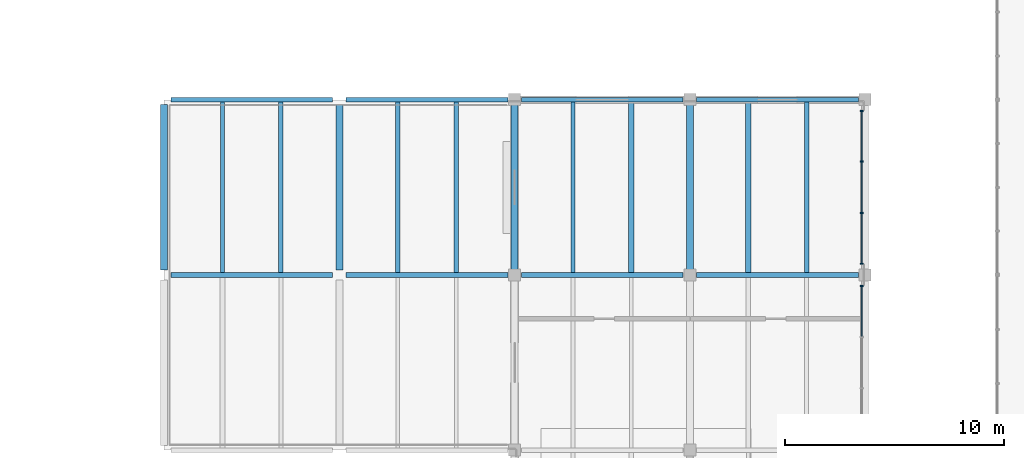
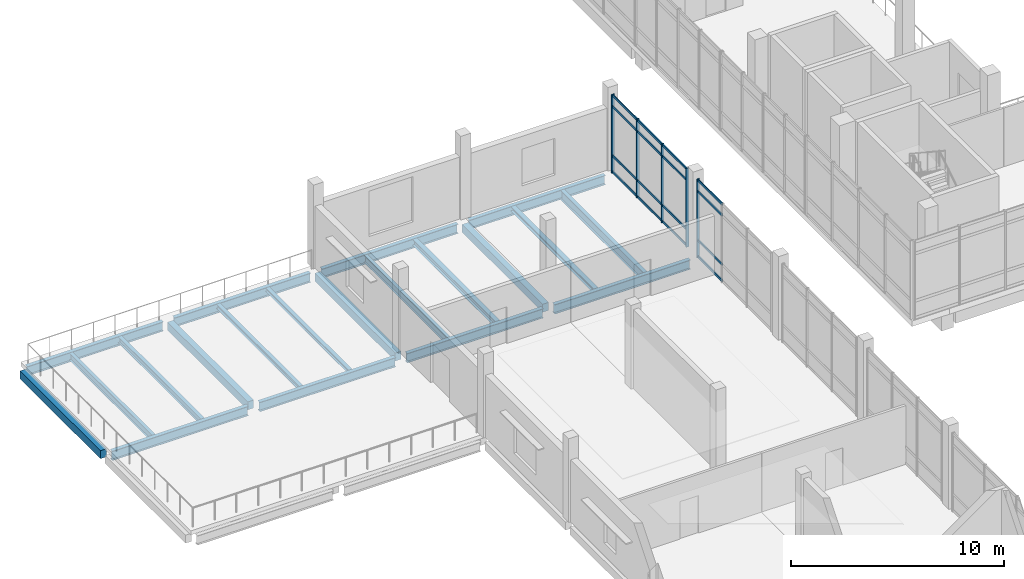
# One storey, part 12 of 47: 21 members, 20 beams, 2 elements without a shape of their own.
"""IFC4 building model written with IfcOpenShell, lengths in metres."""

from ifc_helpers import new_model, si_unit, direction, frame, origin, origin_2d, place, context, subcontext, project, spatial, rectangle, i_section, extrude, material, material_profile, profile_set, type_object, element, aggregate, save


model = new_model("IFC4")

# Units and contexts
model_context = context("Model", 3, precision=1e-05, world=origin(), true_north=direction((0.0, 1.0)))
body_context = subcontext(model_context, "Body", "Model", "MODEL_VIEW")
ifc_project = project(units=[si_unit("LENGTHUNIT", "METRE"), si_unit("AREAUNIT", "SQUARE_METRE"), si_unit("VOLUMEUNIT", "CUBIC_METRE"), si_unit("PLANEANGLEUNIT", "RADIAN"), si_unit("MASSUNIT", "GRAM", prefix="KILO")], contexts=[model_context])

# Site, building, storey
site_placement = place(None, origin())
site = spatial("IfcSite", under=ifc_project, at=site_placement, CompositionType="ELEMENT")
building_placement = place(site_placement, origin())
building = spatial("IfcBuilding", under=site, at=building_placement, Name="Pecanmere Concourse Central Library", CompositionType="ELEMENT")
storey_placement = place(building_placement, frame((0.0, 0.0, 15.300048828125)))
storey = spatial("IfcBuildingStorey", under=building, at=storey_placement, Name="L04", CompositionType="ELEMENT", Elevation=15.300048828125)

# Beams
ifc_material_1 = material(Name="Concrete C40/50", Category="concrete")
ifc_material_profile_1 = material_profile(ifc_material_1, rectangle(XDim=0.320068359375, YDim=0.4599609375, at=origin_2d()), Name="RC 320x460")
ifc_profile_set_1 = profile_set([ifc_material_profile_1], Name="Concrete C40/50")
beam_type_1 = type_object("IfcBeamType", Name="BM_320x460", PredefinedType="BEAM", material=ifc_profile_set_1)
for number, where, z_axis, x_axis, name in (
    (1, (32.0, 98.219970703125, -0.550048828125), (0.0, 1.0, 0.0), (-1.0, 0.0, 0.0), "Primary Girder Y L04-2239"),
    (2, (40.0, 98.219970703125, -0.550048828125), (0.0, 1.0, 0.0), (-1.0, 0.0, 0.0), "Primary Girder Y L04-2245"),
    (3, (48.0, 98.219970703125, -0.550048828125), (0.0, 1.0, 0.0), (-1.0, 0.0, 0.0), "Primary Girder Y L04-2256"),
    (4, (56.0, 98.219970703125, -0.550048828125), (0.0, 1.0, 0.0), (-1.0, 0.0, 0.0), "Primary Girder Y L04-2263"),
):
    element("IfcBeam", number, at=place(storey_placement, frame(where, z_axis=z_axis, x_axis=x_axis)), inside=storey, type_object=beam_type_1, Name=name, PredefinedType="BEAM", context=body_context, shape_type="SweptSolid", body=[
        extrude(rectangle(XDim=0.320068359375, YDim=0.4599609375, at=origin_2d()), origin(), (0.0, 0.0, 1.0), 7.56005859375),
    ])

# Curtain wall, member
ifc_material_2 = material(Name="Clear anodized aluminium alloy 6063-T6", Category="aluminium")
curtain_wall_type = type_object("IfcCurtainWallType", Name="CW_CLOISTER_GLAZ", PredefinedType="USERDEFINED", material=ifc_material_2)
curtain_wall_1_placement = place(storey_placement, origin())
curtain_wall_1 = element("IfcCurtainWall", 5, at=curtain_wall_1_placement, inside=storey, type_object=curtain_wall_type, Name="Unitised Curtain Wall CW-04 L04-150", ObjectType="UNITISED CURTAIN WALL", PredefinedType="USERDEFINED")
ifc_material_3 = material(Name="Clear anodized aluminium alloy 6063-T6", Category="aluminium")
ifc_material_profile_2 = material_profile(ifc_material_3, rectangle(XDim=0.06005859375, YDim=0.14990234375, at=origin_2d()), Name="AL 60x150")
ifc_profile_set_2 = profile_set([ifc_material_profile_2], Name="Clear anodized aluminium alloy 6063-T6")
member_type_1 = type_object("IfcMemberType", Name="CWM_150x60", PredefinedType="MULLION", material=ifc_profile_set_2)
member_1_placement = place(storey_placement, frame((63.85009765625, 97.489990234375, 0.0), z_axis=(0.0, 0.0, 1.0), x_axis=(0.0, 1.0, 0.0)))
member_1 = element("IfcMember", 6, at=member_1_placement, type_object=member_type_1, Name="CW-04 Mullion 4", PredefinedType="MULLION", context=body_context, shape_type="SweptSolid", body=[
    extrude(rectangle(XDim=0.06005859375, YDim=0.14990234375, at=origin_2d()), origin(), (0.0, 0.0, 1.0), 4.52001953125),
])

# Curtain wall, members
curtain_wall_2_placement = place(storey_placement, origin())
curtain_wall_2 = element("IfcCurtainWall", 7, at=curtain_wall_2_placement, inside=storey, type_object=curtain_wall_type, Name="Unitised Curtain Wall CW-04 L04-152", ObjectType="UNITISED CURTAIN WALL", PredefinedType="USERDEFINED")
member_2_placement = place(storey_placement, frame((63.85009765625, 98.510009765625, 0.0), z_axis=(0.0, 0.0, 1.0), x_axis=(0.0, 1.0, 0.0)))
member_2 = element("IfcMember", 8, at=member_2_placement, type_object=member_type_1, Name="CW-04 Mullion 1", PredefinedType="MULLION", context=body_context, shape_type="SweptSolid", body=[
    extrude(rectangle(XDim=0.06005859375, YDim=0.14990234375, at=origin_2d()), origin(), (0.0, 0.0, 1.0), 4.52001953125),
])
member_3_placement = place(storey_placement, frame((63.85009765625, 100.82666015625, 0.0), z_axis=(0.0, 0.0, 1.0), x_axis=(0.0, 1.0, 0.0)))
member_3 = element("IfcMember", 9, at=member_3_placement, type_object=member_type_1, Name="CW-04 Mullion 2", PredefinedType="MULLION", context=body_context, shape_type="SweptSolid", body=[
    extrude(rectangle(XDim=0.06005859375, YDim=0.14990234375, at=origin_2d()), origin(), (0.0, 0.0, 1.0), 4.52001953125),
])
member_4_placement = place(storey_placement, frame((63.85009765625, 103.17333984375, 0.0), z_axis=(0.0, 0.0, 1.0), x_axis=(0.0, 1.0, 0.0)))
member_4 = element("IfcMember", 10, at=member_4_placement, type_object=member_type_1, Name="CW-04 Mullion 3", PredefinedType="MULLION", context=body_context, shape_type="SweptSolid", body=[
    extrude(rectangle(XDim=0.06005859375, YDim=0.14990234375, at=origin_2d()), origin(), (0.0, 0.0, 1.0), 4.52001953125),
])
member_5_placement = place(storey_placement, frame((63.85009765625, 105.489990234375, 0.0), z_axis=(0.0, 0.0, 1.0), x_axis=(0.0, 1.0, 0.0)))
member_5 = element("IfcMember", 11, at=member_5_placement, type_object=member_type_1, Name="CW-04 Mullion 4", PredefinedType="MULLION", context=body_context, shape_type="SweptSolid", body=[
    extrude(rectangle(XDim=0.06005859375, YDim=0.14990234375, at=origin_2d()), origin(), (0.0, 0.0, 1.0), 4.52001953125),
])

# Member
ifc_material_4 = material(Name="Clear anodized aluminium alloy 6063-T6", Category="aluminium")
ifc_material_profile_3 = material_profile(ifc_material_4, rectangle(XDim=0.054931640625, YDim=0.139892578125, at=origin_2d()), Name="AL 55x140")
ifc_profile_set_3 = profile_set([ifc_material_profile_3], Name="Clear anodized aluminium alloy 6063-T6")
member_type_2 = type_object("IfcMemberType", Name="CWT_140x55", PredefinedType="USERDEFINED", material=ifc_profile_set_3)
member_6_placement = place(storey_placement, frame((63.85009765625, 95.203369140625, 0.070068359375), z_axis=(0.0, 1.0, 0.0), x_axis=(-1.0, 0.0, 0.0)))
member_6 = element("IfcMember", 12, at=member_6_placement, type_object=member_type_2, Name="CW-04 Transom 3.1", ObjectType="TRANSOM", PredefinedType="USERDEFINED", context=body_context, shape_type="SweptSolid", body=[
    extrude(rectangle(XDim=0.054931640625, YDim=0.139892578125, at=origin_2d()), origin(), (0.0, 0.0, 1.0), 2.256591796875),
])

member_7_placement = place(storey_placement, frame((63.85009765625, 95.203369140625, 1.0), z_axis=(0.0, 1.0, 0.0), x_axis=(-1.0, 0.0, 0.0)))
member_7 = element("IfcMember", 13, at=member_7_placement, type_object=member_type_2, Name="CW-04 Transom 3.2", ObjectType="TRANSOM", PredefinedType="USERDEFINED", context=body_context, shape_type="SweptSolid", body=[
    extrude(rectangle(XDim=0.054931640625, YDim=0.139892578125, at=origin_2d()), origin(), (0.0, 0.0, 1.0), 2.256591796875),
])

member_8_placement = place(storey_placement, frame((63.85009765625, 95.203369140625, 3.820068359375), z_axis=(0.0, 1.0, 0.0), x_axis=(-1.0, 0.0, 0.0)))
member_8 = element("IfcMember", 14, at=member_8_placement, type_object=member_type_2, Name="CW-04 Transom 3.3", ObjectType="TRANSOM", PredefinedType="USERDEFINED", context=body_context, shape_type="SweptSolid", body=[
    extrude(rectangle(XDim=0.054931640625, YDim=0.139892578125, at=origin_2d()), origin(), (0.0, 0.0, 1.0), 2.256591796875),
])

member_9_placement = place(storey_placement, frame((63.85009765625, 95.203369140625, 4.449951171875), z_axis=(0.0, 1.0, 0.0), x_axis=(-1.0, 0.0, 0.0)))
member_9 = element("IfcMember", 15, at=member_9_placement, type_object=member_type_2, Name="CW-04 Transom 3.4", ObjectType="TRANSOM", PredefinedType="USERDEFINED", context=body_context, shape_type="SweptSolid", body=[
    extrude(rectangle(XDim=0.054931640625, YDim=0.139892578125, at=origin_2d()), origin(), (0.0, 0.0, 1.0), 2.256591796875),
])

aggregate(curtain_wall_1, [member_1, member_6, member_7, member_8, member_9])

member_10_placement = place(storey_placement, frame((63.85009765625, 98.5400390625, 0.070068359375), z_axis=(0.0, 1.0, 0.0), x_axis=(-1.0, 0.0, 0.0)))
member_10 = element("IfcMember", 16, at=member_10_placement, type_object=member_type_2, Name="CW-04 Transom 1.1", ObjectType="TRANSOM", PredefinedType="USERDEFINED", context=body_context, shape_type="SweptSolid", body=[
    extrude(rectangle(XDim=0.054931640625, YDim=0.139892578125, at=origin_2d()), origin(), (0.0, 0.0, 1.0), 2.256591796875),
])

member_11_placement = place(storey_placement, frame((63.85009765625, 98.5400390625, 1.0), z_axis=(0.0, 1.0, 0.0), x_axis=(-1.0, 0.0, 0.0)))
member_11 = element("IfcMember", 17, at=member_11_placement, type_object=member_type_2, Name="CW-04 Transom 1.2", ObjectType="TRANSOM", PredefinedType="USERDEFINED", context=body_context, shape_type="SweptSolid", body=[
    extrude(rectangle(XDim=0.054931640625, YDim=0.139892578125, at=origin_2d()), origin(), (0.0, 0.0, 1.0), 2.256591796875),
])

member_12_placement = place(storey_placement, frame((63.85009765625, 98.5400390625, 3.820068359375), z_axis=(0.0, 1.0, 0.0), x_axis=(-1.0, 0.0, 0.0)))
member_12 = element("IfcMember", 18, at=member_12_placement, type_object=member_type_2, Name="CW-04 Transom 1.3", ObjectType="TRANSOM", PredefinedType="USERDEFINED", context=body_context, shape_type="SweptSolid", body=[
    extrude(rectangle(XDim=0.054931640625, YDim=0.139892578125, at=origin_2d()), origin(), (0.0, 0.0, 1.0), 2.256591796875),
])

member_13_placement = place(storey_placement, frame((63.85009765625, 98.5400390625, 4.449951171875), z_axis=(0.0, 1.0, 0.0), x_axis=(-1.0, 0.0, 0.0)))
member_13 = element("IfcMember", 19, at=member_13_placement, type_object=member_type_2, Name="CW-04 Transom 1.4", ObjectType="TRANSOM", PredefinedType="USERDEFINED", context=body_context, shape_type="SweptSolid", body=[
    extrude(rectangle(XDim=0.054931640625, YDim=0.139892578125, at=origin_2d()), origin(), (0.0, 0.0, 1.0), 2.256591796875),
])

member_14_placement = place(storey_placement, frame((63.85009765625, 100.856689453125, 0.070068359375), z_axis=(0.0, 1.0, 0.0), x_axis=(-1.0, 0.0, 0.0)))
member_14 = element("IfcMember", 20, at=member_14_placement, type_object=member_type_2, Name="CW-04 Transom 2.1", ObjectType="TRANSOM", PredefinedType="USERDEFINED", context=body_context, shape_type="SweptSolid", body=[
    extrude(rectangle(XDim=0.054931640625, YDim=0.139892578125, at=origin_2d()), origin(), (0.0, 0.0, 1.0), 2.28662109375),
])

member_15_placement = place(storey_placement, frame((63.85009765625, 100.856689453125, 1.0), z_axis=(0.0, 1.0, 0.0), x_axis=(-1.0, 0.0, 0.0)))
member_15 = element("IfcMember", 21, at=member_15_placement, type_object=member_type_2, Name="CW-04 Transom 2.2", ObjectType="TRANSOM", PredefinedType="USERDEFINED", context=body_context, shape_type="SweptSolid", body=[
    extrude(rectangle(XDim=0.054931640625, YDim=0.139892578125, at=origin_2d()), origin(), (0.0, 0.0, 1.0), 2.28662109375),
])

member_16_placement = place(storey_placement, frame((63.85009765625, 100.856689453125, 3.820068359375), z_axis=(0.0, 1.0, 0.0), x_axis=(-1.0, 0.0, 0.0)))
member_16 = element("IfcMember", 22, at=member_16_placement, type_object=member_type_2, Name="CW-04 Transom 2.3", ObjectType="TRANSOM", PredefinedType="USERDEFINED", context=body_context, shape_type="SweptSolid", body=[
    extrude(rectangle(XDim=0.054931640625, YDim=0.139892578125, at=origin_2d()), origin(), (0.0, 0.0, 1.0), 2.28662109375),
])

member_17_placement = place(storey_placement, frame((63.85009765625, 100.856689453125, 4.449951171875), z_axis=(0.0, 1.0, 0.0), x_axis=(-1.0, 0.0, 0.0)))
member_17 = element("IfcMember", 23, at=member_17_placement, type_object=member_type_2, Name="CW-04 Transom 2.4", ObjectType="TRANSOM", PredefinedType="USERDEFINED", context=body_context, shape_type="SweptSolid", body=[
    extrude(rectangle(XDim=0.054931640625, YDim=0.139892578125, at=origin_2d()), origin(), (0.0, 0.0, 1.0), 2.28662109375),
])

member_18_placement = place(storey_placement, frame((63.85009765625, 103.203369140625, 0.070068359375), z_axis=(0.0, 1.0, 0.0), x_axis=(-1.0, 0.0, 0.0)))
member_18 = element("IfcMember", 24, at=member_18_placement, type_object=member_type_2, Name="CW-04 Transom 3.1", ObjectType="TRANSOM", PredefinedType="USERDEFINED", context=body_context, shape_type="SweptSolid", body=[
    extrude(rectangle(XDim=0.054931640625, YDim=0.139892578125, at=origin_2d()), origin(), (0.0, 0.0, 1.0), 2.256591796875),
])

member_19_placement = place(storey_placement, frame((63.85009765625, 103.203369140625, 1.0), z_axis=(0.0, 1.0, 0.0), x_axis=(-1.0, 0.0, 0.0)))
member_19 = element("IfcMember", 25, at=member_19_placement, type_object=member_type_2, Name="CW-04 Transom 3.2", ObjectType="TRANSOM", PredefinedType="USERDEFINED", context=body_context, shape_type="SweptSolid", body=[
    extrude(rectangle(XDim=0.054931640625, YDim=0.139892578125, at=origin_2d()), origin(), (0.0, 0.0, 1.0), 2.256591796875),
])

member_20_placement = place(storey_placement, frame((63.85009765625, 103.203369140625, 3.820068359375), z_axis=(0.0, 1.0, 0.0), x_axis=(-1.0, 0.0, 0.0)))
member_20 = element("IfcMember", 26, at=member_20_placement, type_object=member_type_2, Name="CW-04 Transom 3.3", ObjectType="TRANSOM", PredefinedType="USERDEFINED", context=body_context, shape_type="SweptSolid", body=[
    extrude(rectangle(XDim=0.054931640625, YDim=0.139892578125, at=origin_2d()), origin(), (0.0, 0.0, 1.0), 2.256591796875),
])

member_21_placement = place(storey_placement, frame((63.85009765625, 103.203369140625, 4.449951171875), z_axis=(0.0, 1.0, 0.0), x_axis=(-1.0, 0.0, 0.0)))
member_21 = element("IfcMember", 27, at=member_21_placement, type_object=member_type_2, Name="CW-04 Transom 3.4", ObjectType="TRANSOM", PredefinedType="USERDEFINED", context=body_context, shape_type="SweptSolid", body=[
    extrude(rectangle(XDim=0.054931640625, YDim=0.139892578125, at=origin_2d()), origin(), (0.0, 0.0, 1.0), 2.256591796875),
])

aggregate(curtain_wall_2, [member_2, member_3, member_4, member_5, member_10, member_11, member_12, member_13, member_14, member_15, member_16, member_17, member_18, member_19, member_20, member_21])

# Beams
ifc_material_5 = material(Name="Structural steel ASTM A992 Grade 50", Category="steel")
ifc_material_profile_4 = material_profile(ifc_material_5, i_section(OverallWidth=0.2041015625, OverallDepth=0.2060546875, WebThickness=0.0078125, FlangeThickness=0.0126953125, at=origin_2d()), Name="W200x52")
ifc_profile_set_4 = profile_set([ifc_material_profile_4], Name="Structural steel ASTM A992 Grade 50")
beam_type_2 = type_object("IfcBeamType", Name="SBM_W200x52", PredefinedType="JOIST", material=ifc_profile_set_4)
beam_1_placement = place(storey_placement, frame((45.333251953125, 98.10546875, -0.423095703125), z_axis=(0.0, 1.0, 0.0), x_axis=(-1.0, 0.0, 0.0)))
element("IfcBeam", 28, at=beam_1_placement, inside=storey, type_object=beam_type_2, Name="Secondary Floor Joist L04-2355", PredefinedType="JOIST", context=body_context, shape_type="SweptSolid", body=[
    extrude(i_section(OverallWidth=0.2041015625, OverallDepth=0.2060546875, WebThickness=0.0078125, FlangeThickness=0.0126953125, at=origin_2d()), origin(), (0.0, 0.0, 1.0), 7.7890625),
])
ifc_material_6 = material(Name="Structural steel ASTM A992 Grade 50", Category="steel")
ifc_material_profile_5 = material_profile(ifc_material_6, i_section(OverallWidth=0.201904296875, OverallDepth=0.2470703125, WebThickness=0.00732421875, FlangeThickness=0.010986328125, at=origin_2d()), Name="W250x49.1")
ifc_profile_set_5 = profile_set([ifc_material_profile_5], Name="Structural steel ASTM A992 Grade 50")
beam_type_3 = type_object("IfcBeamType", Name="SBM_W250x49", PredefinedType="JOIST", material=ifc_profile_set_5)
beam_2_placement = place(storey_placement, frame((42.666748046875, 98.10546875, -0.443603515625), z_axis=(0.0, 1.0, 0.0), x_axis=(-1.0, 0.0, 0.0)))
element("IfcBeam", 29, at=beam_2_placement, inside=storey, type_object=beam_type_3, Name="Secondary Floor Joist L04-2354", PredefinedType="JOIST", context=body_context, shape_type="SweptSolid", body=[
    extrude(i_section(OverallWidth=0.201904296875, OverallDepth=0.2470703125, WebThickness=0.00732421875, FlangeThickness=0.010986328125, at=origin_2d()), origin(), (0.0, 0.0, 1.0), 7.7890625),
])
ifc_material_7 = material(Name="Structural steel ASTM A992 Grade 50", Category="steel")
ifc_material_profile_6 = material_profile(ifc_material_7, i_section(OverallWidth=0.25390625, OverallDepth=0.2529296875, WebThickness=0.008544921875, FlangeThickness=0.01416015625, at=origin_2d()), Name="W250x73")
ifc_profile_set_6 = profile_set([ifc_material_profile_6], Name="Structural steel ASTM A992 Grade 50")
beam_type_4 = type_object("IfcBeamType", Name="SBM_W250x73", PredefinedType="BEAM", material=ifc_profile_set_6)
beam_3_placement = place(storey_placement, frame((58.666748046875, 98.10546875, -0.446533203125), z_axis=(0.0, 1.0, 0.0), x_axis=(-1.0, 0.0, 0.0)))
element("IfcBeam", 30, at=beam_3_placement, inside=storey, type_object=beam_type_4, Name="Secondary Floor Joist L04-2380", PredefinedType="BEAM", context=body_context, shape_type="SweptSolid", body=[
    extrude(i_section(OverallWidth=0.25390625, OverallDepth=0.2529296875, WebThickness=0.008544921875, FlangeThickness=0.01416015625, at=origin_2d()), origin(), (0.0, 0.0, 1.0), 7.7890625),
])
ifc_material_8 = material(Name="Structural steel ASTM A992 Grade 50", Category="steel")
ifc_material_profile_7 = material_profile(ifc_material_8, i_section(OverallWidth=0.202880859375, OverallDepth=0.346923828125, WebThickness=0.0078125, FlangeThickness=0.013427734375, at=origin_2d()), Name="W360x64")
ifc_profile_set_7 = profile_set([ifc_material_profile_7], Name="Structural steel ASTM A992 Grade 50")
beam_type_5 = type_object("IfcBeamType", Name="SBM_W360x64", PredefinedType="JOIST", material=ifc_profile_set_7)
beam_4_placement = place(storey_placement, frame((37.333251953125, 98.10546875, -0.49365234375), z_axis=(0.0, 1.0, 0.0), x_axis=(-1.0, 0.0, 0.0)))
element("IfcBeam", 31, at=beam_4_placement, inside=storey, type_object=beam_type_5, Name="Secondary Floor Joist L04-2351", PredefinedType="JOIST", context=body_context, shape_type="SweptSolid", body=[
    extrude(i_section(OverallWidth=0.202880859375, OverallDepth=0.346923828125, WebThickness=0.0078125, FlangeThickness=0.013427734375, at=origin_2d()), origin(), (0.0, 0.0, 1.0), 7.7890625),
])
ifc_material_9 = material(Name="Structural steel ASTM A992 Grade 50", Category="steel")
ifc_material_profile_8 = material_profile(ifc_material_9, i_section(OverallWidth=0.25390625, OverallDepth=0.35302734375, WebThickness=0.009521484375, FlangeThickness=0.016357421875, at=origin_2d()), Name="W360x91")
ifc_profile_set_8 = profile_set([ifc_material_profile_8], Name="Structural steel ASTM A992 Grade 50")
beam_type_6 = type_object("IfcBeamType", Name="SBM_W360x91", PredefinedType="BEAM", material=ifc_profile_set_8)
beam_5_placement = place(storey_placement, frame((53.333251953125, 98.10546875, -0.49658203125), z_axis=(0.0, 1.0, 0.0), x_axis=(-1.0, 0.0, 0.0)))
element("IfcBeam", 32, at=beam_5_placement, inside=storey, type_object=beam_type_6, Name="Secondary Floor Joist L04-2369", PredefinedType="BEAM", context=body_context, shape_type="SweptSolid", body=[
    extrude(i_section(OverallWidth=0.25390625, OverallDepth=0.35302734375, WebThickness=0.009521484375, FlangeThickness=0.016357421875, at=origin_2d()), origin(), (0.0, 0.0, 1.0), 7.7890625),
])
ifc_material_10 = material(Name="Structural steel ASTM A992 Grade 50", Category="steel")
ifc_material_profile_9 = material_profile(ifc_material_10, i_section(OverallWidth=0.177978515625, OverallDepth=0.406982421875, WebThickness=0.0078125, FlangeThickness=0.0126953125, at=origin_2d()), Name="W410x60")
ifc_profile_set_9 = profile_set([ifc_material_profile_9], Name="Structural steel ASTM A992 Grade 50")
beam_type_7 = type_object("IfcBeamType", Name="SBM_W410x60", PredefinedType="JOIST", material=ifc_profile_set_9)
beam_6_placement = place(storey_placement, frame((34.666748046875, 98.10546875, -0.5234375), z_axis=(0.0, 1.0, 0.0), x_axis=(-1.0, 0.0, 0.0)))
element("IfcBeam", 33, at=beam_6_placement, inside=storey, type_object=beam_type_7, Name="Secondary Floor Joist L04-2350", PredefinedType="JOIST", context=body_context, shape_type="SweptSolid", body=[
    extrude(i_section(OverallWidth=0.177978515625, OverallDepth=0.406982421875, WebThickness=0.0078125, FlangeThickness=0.0126953125, at=origin_2d()), origin(), (0.0, 0.0, 1.0), 7.7890625),
])
ifc_material_11 = material(Name="Structural steel ASTM A992 Grade 50", Category="steel")
ifc_material_profile_10 = material_profile(ifc_material_11, i_section(OverallWidth=0.180908203125, OverallDepth=0.4169921875, WebThickness=0.010986328125, FlangeThickness=0.018310546875, at=origin_2d()), Name="W410x85")
ifc_profile_set_10 = profile_set([ifc_material_profile_10], Name="Structural steel ASTM A992 Grade 50")
beam_type_8 = type_object("IfcBeamType", Name="SBM_W410x85", PredefinedType="BEAM", material=ifc_profile_set_10)
beam_7_placement = place(storey_placement, frame((50.666748046875, 98.10546875, -0.528564453125), z_axis=(0.0, 1.0, 0.0), x_axis=(-1.0, 0.0, 0.0)))
element("IfcBeam", 34, at=beam_7_placement, inside=storey, type_object=beam_type_8, Name="Secondary Floor Joist L04-2368", PredefinedType="BEAM", context=body_context, shape_type="SweptSolid", body=[
    extrude(i_section(OverallWidth=0.180908203125, OverallDepth=0.4169921875, WebThickness=0.010986328125, FlangeThickness=0.018310546875, at=origin_2d()), origin(), (0.0, 0.0, 1.0), 7.7890625),
])
ifc_material_12 = material(Name="Structural steel ASTM A992 Grade 50", Category="steel")
ifc_material_profile_11 = material_profile(ifc_material_12, i_section(OverallWidth=0.2109375, OverallDepth=0.5390625, WebThickness=0.01171875, FlangeThickness=0.018798828125, at=origin_2d()), Name="W530x109")
ifc_profile_set_11 = profile_set([ifc_material_profile_11], Name="Structural steel ASTM A992 Grade 50")
beam_type_9 = type_object("IfcBeamType", Name="SBM_W530x109", PredefinedType="USERDEFINED", material=ifc_profile_set_11)
for number, where, z_axis, x_axis, name in (
    (35, (32.31005859375, 98.0, -0.589599609375), (1.0, 0.0, 0.0), (0.0, 1.0, 0.0), "Primary Girder X L04-2191"),
    (36, (40.31005859375, 98.0, -0.589599609375), (1.0, 0.0, 0.0), (0.0, 1.0, 0.0), "Primary Girder X L04-2192"),
    (37, (48.31005859375, 98.0, -0.589599609375), (1.0, 0.0, 0.0), (0.0, 1.0, 0.0), "Primary Girder X L04-2193"),
    (38, (56.31005859375, 98.0, -0.589599609375), (1.0, 0.0, 0.0), (0.0, 1.0, 0.0), "Primary Girder X L04-2194"),
    (39, (32.31005859375, 106.0, -0.589599609375), (1.0, 0.0, 0.0), (0.0, 1.0, 0.0), "Primary Girder X L04-2203"),
    (40, (40.31005859375, 106.0, -0.589599609375), (1.0, 0.0, 0.0), (0.0, 1.0, 0.0), "Primary Girder X L04-2204"),
    (41, (48.31005859375, 106.0, -0.589599609375), (1.0, 0.0, 0.0), (0.0, 1.0, 0.0), "Primary Girder X L04-2205"),
    (42, (56.31005859375, 106.0, -0.589599609375), (1.0, 0.0, 0.0), (0.0, 1.0, 0.0), "Primary Girder X L04-2206"),
):
    element("IfcBeam", number, at=place(storey_placement, frame(where, z_axis=z_axis, x_axis=x_axis)), inside=storey, type_object=beam_type_9, Name=name, ObjectType="GIRDER", PredefinedType="USERDEFINED", context=body_context, shape_type="SweptSolid", body=[
        extrude(i_section(OverallWidth=0.2109375, OverallDepth=0.5390625, WebThickness=0.01171875, FlangeThickness=0.018798828125, at=origin_2d()), origin(), (0.0, 0.0, 1.0), 7.3798828125),
    ])
ifc_material_13 = material(Name="Structural steel ASTM A992 Grade 50", Category="steel")
ifc_material_profile_12 = material_profile(ifc_material_13, i_section(OverallWidth=0.208984375, OverallDepth=0.532958984375, WebThickness=0.01025390625, FlangeThickness=0.015625, at=origin_2d()), Name="W530x92")
ifc_profile_set_12 = profile_set([ifc_material_profile_12], Name="Structural steel ASTM A992 Grade 50")
beam_type_10 = type_object("IfcBeamType", Name="SBM_W530x92", PredefinedType="BEAM", material=ifc_profile_set_12)
beam_8_placement = place(storey_placement, frame((61.333251953125, 98.10546875, -0.586669921875), z_axis=(0.0, 1.0, 0.0), x_axis=(-1.0, 0.0, 0.0)))
element("IfcBeam", 43, at=beam_8_placement, inside=storey, type_object=beam_type_10, Name="Secondary Floor Joist L04-2381", PredefinedType="BEAM", context=body_context, shape_type="SweptSolid", body=[
    extrude(i_section(OverallWidth=0.208984375, OverallDepth=0.532958984375, WebThickness=0.01025390625, FlangeThickness=0.015625, at=origin_2d()), origin(), (0.0, 0.0, 1.0), 7.7890625),
])

save(model, "model.ifc")
